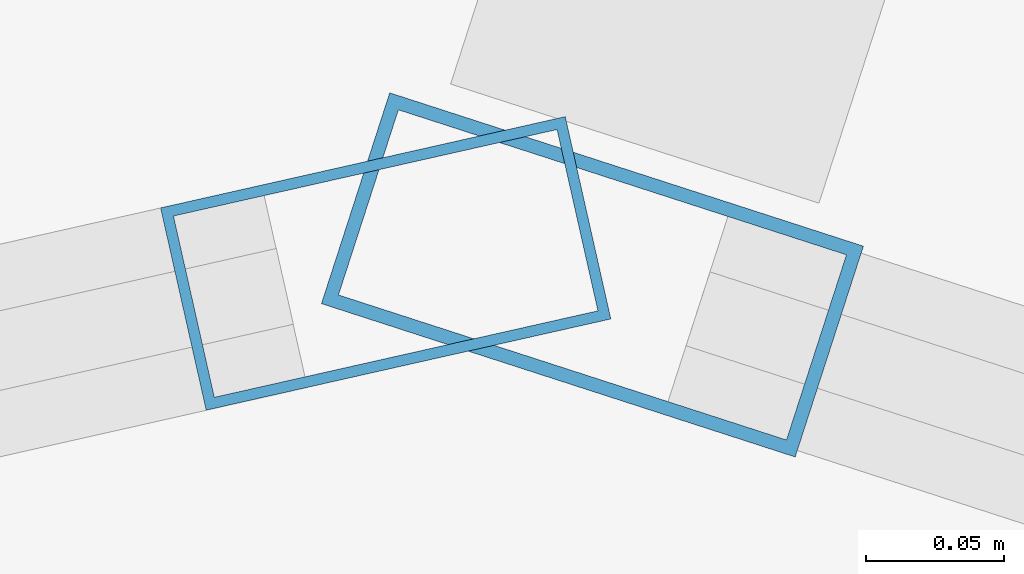
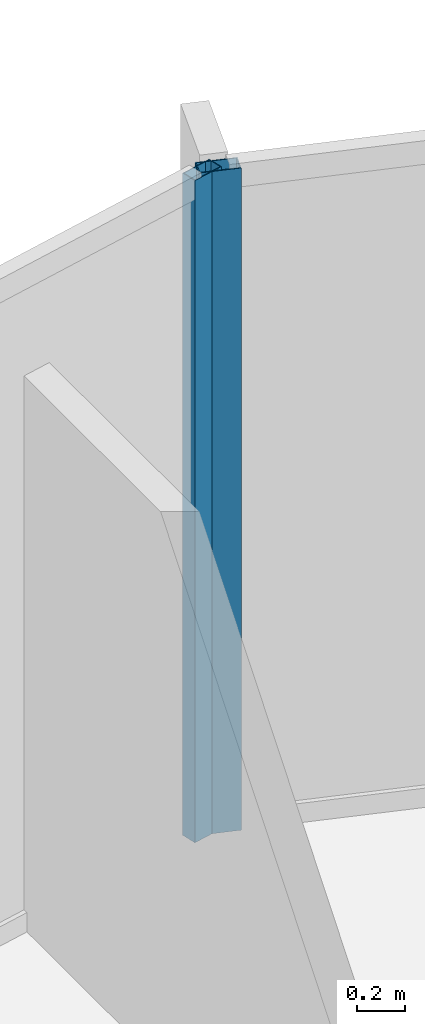
# One storey, part 21 of 33: 2 members, 2 elements without a shape of their own.
"""IFC4 building model written with IfcOpenShell, lengths in metres."""

from ifc_helpers import new_model, si_unit, direction, frame, origin, origin_2d, place, context, subcontext, project, spatial, hollow_rectangle, extrude, material, layer, layer_set, material_profile, profile_set, type_object, element, aggregate, save


model = new_model("IFC4")

# Units and contexts
model_context = context("Model", 3, precision=1e-05, world=origin(), true_north=direction((0.0, 1.0)))
body_context = subcontext(model_context, "Body", "Model", "MODEL_VIEW")
ifc_project = project(units=[si_unit("LENGTHUNIT", "METRE"), si_unit("AREAUNIT", "SQUARE_METRE"), si_unit("VOLUMEUNIT", "CUBIC_METRE"), si_unit("PLANEANGLEUNIT", "RADIAN"), si_unit("MASSUNIT", "GRAM", prefix="KILO")], contexts=[model_context])

# Site, building, storey
site_placement = place(None, origin())
site = spatial("IfcSite", under=ifc_project, at=site_placement, CompositionType="ELEMENT")
building_placement = place(site_placement, origin())
building = spatial("IfcBuilding", under=site, at=building_placement, Name="Kazevale Care Tower and Concert Hall", CompositionType="ELEMENT")
storey_placement = place(building_placement, frame((0.0, 0.0, 27.60009765625)))
storey = spatial("IfcBuildingStorey", under=building, at=storey_placement, Name="L06", CompositionType="ELEMENT", Elevation=27.60009765625)

# Curtain wall, member
ifc_material_1 = material(Name="Aluminium 6063-T6 and Low-E Glass", Category="aluminium")
ifc_layer_1 = layer(ifc_material_1, 0.179931640625)
ifc_layer_set_1 = layer_set([ifc_layer_1], Name="Aluminium 6063-T6 and Low-E Glass")
curtain_wall_type_1 = type_object("IfcCurtainWallType", Name="Convex Checkerboard Finned Curtain Wall CW-2", PredefinedType="NOTDEFINED", material=ifc_layer_set_1)
curtain_wall_1_placement = place(storey_placement, origin())
curtain_wall_1 = element("IfcCurtainWall", 1, at=curtain_wall_1_placement, inside=storey, type_object=curtain_wall_type_1, Name="cw:L06:f16", PredefinedType="NOTDEFINED")
ifc_material_2 = material(Name="Aluminium 6063-T6", Category="aluminium")
ifc_material_profile_1 = material_profile(ifc_material_2, hollow_rectangle(XDim=0.080078125, YDim=0.179931640625, WallThickness=0.0048828125, at=origin_2d()), Name="ALU80x180x5")
ifc_profile_set_1 = profile_set([ifc_material_profile_1], Name="Aluminium 6063-T6")
member_type_1 = type_object("IfcMemberType", Name="CW-2 Mullion ALU80x180x5", PredefinedType="MULLION", material=ifc_profile_set_1)
member_1_placement = place(storey_placement, frame((44.9970703125, 67.355712890625, 0.0), z_axis=(0.0, 0.0, 1.0), x_axis=(0.307925769029, 0.951410385043, 0.0)))
member_1 = element("IfcMember", 2, at=member_1_placement, type_object=member_type_1, Name="CW-2 mullion 1", PredefinedType="MULLION", context=body_context, shape_type="SweptSolid", body=[
    extrude(hollow_rectangle(XDim=0.080078125, YDim=0.179931640625, WallThickness=0.0048828125, at=origin_2d()), origin(), (0.0, 0.0, 1.0), 3.35986328125),
])
aggregate(curtain_wall_1, [member_1])

ifc_layer_2 = layer(ifc_material_1, 0.179931640625)
ifc_layer_set_2 = layer_set([ifc_layer_2], Name="Aluminium 6063-T6 and Low-E Glass")
curtain_wall_type_2 = type_object("IfcCurtainWallType", Name="Convex Recessed Sunroom Curtain Wall CW-3", PredefinedType="NOTDEFINED", material=ifc_layer_set_2)
curtain_wall_2_placement = place(storey_placement, origin())
curtain_wall_2 = element("IfcCurtainWall", 3, at=curtain_wall_2_placement, inside=storey, type_object=curtain_wall_type_2, Name="cw:L06:f15", PredefinedType="NOTDEFINED")
ifc_material_profile_2 = material_profile(ifc_material_2, hollow_rectangle(XDim=0.074951171875, YDim=0.14990234375, WallThickness=0.00390625, at=origin_2d()), Name="ALU75x150x4")
ifc_profile_set_2 = profile_set([ifc_material_profile_2], Name="Aluminium 6063-T6")
member_type_2 = type_object("IfcMemberType", Name="CW-3 Mullion ALU75x150x4", PredefinedType="MULLION", material=ifc_profile_set_2)
member_2_placement = place(storey_placement, frame((44.92236328125, 67.35986328125, 0.0), z_axis=(0.0, 0.0, 1.0), x_axis=(-0.219910670667, 0.975520013596, 0.0)))
member_2 = element("IfcMember", 4, at=member_2_placement, type_object=member_type_2, Name="CW-3 mullion 2", PredefinedType="MULLION", context=body_context, shape_type="SweptSolid", body=[
    extrude(hollow_rectangle(XDim=0.074951171875, YDim=0.14990234375, WallThickness=0.00390625, at=origin_2d()), origin(), (0.0, 0.0, 1.0), 3.35986328125),
])
aggregate(curtain_wall_2, [member_2])

save(model, "model.ifc")
